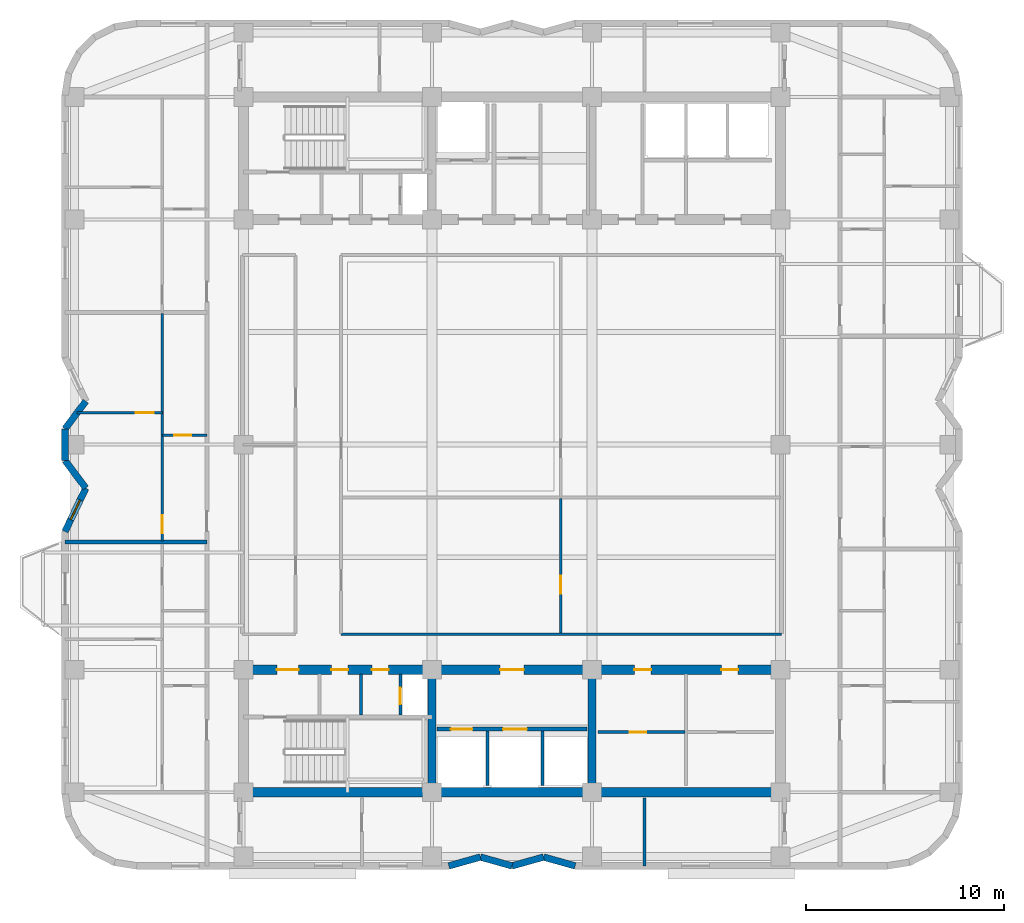
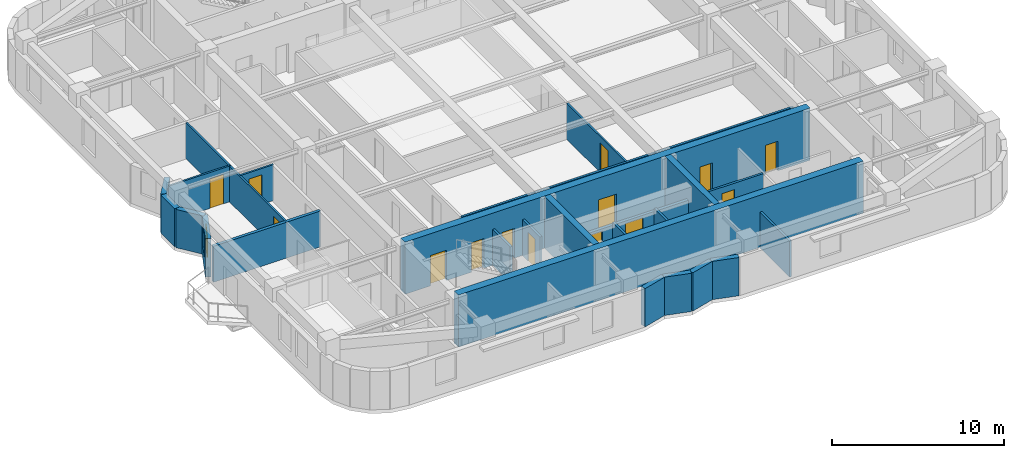
# One storey, part 3 of 10: 25 walls, 14 doors, 1 window, 15 openings.
"""IFC4 building model written with IfcOpenShell, lengths in metres."""

from ifc_helpers import new_model, si_unit, direction, frame, frame_2d, origin, place, context, subcontext, project, spatial, rectangle, extrude, material, layer, layer_set, type_object, element, fill, save


model = new_model("IFC4")

# Units and contexts
model_context = context("Model", 3, precision=1e-05, world=origin(), true_north=direction((0.0, 1.0)))
body_context = subcontext(model_context, "Body", "Model", "MODEL_VIEW")
ifc_project = project(units=[si_unit("LENGTHUNIT", "METRE"), si_unit("AREAUNIT", "SQUARE_METRE"), si_unit("VOLUMEUNIT", "CUBIC_METRE"), si_unit("PLANEANGLEUNIT", "RADIAN"), si_unit("MASSUNIT", "GRAM", prefix="KILO")], contexts=[model_context])

# Site, building, storey
site_placement = place(None, origin())
site = spatial("IfcSite", under=ifc_project, at=site_placement, CompositionType="ELEMENT")
building_placement = place(site_placement, origin())
building = spatial("IfcBuilding", under=site, at=building_placement, Name="Svetorya Sky Lyceum", CompositionType="ELEMENT")
storey_placement = place(building_placement, frame((0.0, 0.0, 188.5)))
storey = spatial("IfcBuildingStorey", under=building, at=storey_placement, Name="L47", CompositionType="ELEMENT", Elevation=188.5)

# Walls
ifc_material_1 = material(Name="Concrete C40/50", Category="concrete")
ifc_layer_1 = layer(ifc_material_1, 0.39990234375)
ifc_layer_set_1 = layer_set([ifc_layer_1], Name="Concrete C40/50")
wall_type_1 = type_object("IfcWallType", Name="WL-CORE-400", PredefinedType="SHEAR", material=ifc_layer_set_1)
for number, where, z_axis, x_axis, name in (
    (1, (35.14990234375, 10.85009765625, 0.0), (0.0, 0.0, 1.0), (0.0, 1.0, 0.0), "L47 SC Internal Shear Web WEB1"),
    (2, (43.25, 10.85009765625, 0.0), (0.0, 0.0, 1.0), (0.0, 1.0, 0.0), "L47 SC Internal Shear Web WEB2"),
):
    element("IfcWall", number, at=place(storey_placement, frame(where, z_axis=z_axis, x_axis=x_axis)), inside=storey, type_object=wall_type_1, Name=name, PredefinedType="SHEAR", context=body_context, shape_type="SweptSolid", body=[
        extrude(rectangle(XDim=5.699951171875, YDim=0.39990234375, at=frame_2d((2.85009765625, 0.0))), origin(), (0.0, 0.0, 1.0), 3.699951171875),
    ])
ifc_material_2 = material(Name="Concrete C50/60", Category="concrete")
ifc_layer_2 = layer(ifc_material_2, 0.5)
ifc_layer_set_2 = layer_set([ifc_layer_2], Name="Concrete C50/60")
wall_type_2 = type_object("IfcWallType", Name="WL-CORE-500", PredefinedType="SHEAR", material=ifc_layer_set_2)
wall_1_placement = place(storey_placement, frame((52.800048828125, 10.60009765625, 0.0), z_axis=(0.0, 0.0, 1.0), x_axis=(-1.0, 0.0, 0.0)))
element("IfcWall", 3, at=wall_1_placement, inside=storey, type_object=wall_type_2, Name="L47 SC Outer Core Shear Wall", PredefinedType="SHEAR", context=body_context, shape_type="SweptSolid", body=[
    extrude(rectangle(XDim=27.199951171875, YDim=0.5, at=frame_2d((13.60009765625, 0.0))), origin(), (0.0, 0.0, 1.0), 3.699951171875),
])

# Wall, openings, doors
wall_2_placement = place(storey_placement, frame((25.60009765625, 16.800048828125, 0.0), z_axis=(0.0, 0.0, 1.0), x_axis=(1.0, 0.0, 0.0)))
wall_2 = element("IfcWall", 4, at=wall_2_placement, inside=storey, type_object=wall_type_2, Name="L47 SC Inner Core Shear Wall", PredefinedType="SHEAR", context=body_context, shape_type="SweptSolid", body=[
    extrude(rectangle(XDim=27.199951171875, YDim=0.5, at=frame_2d((13.60009765625, 0.0))), origin(), (0.0, 0.0, 1.0), 3.699951171875),
])
opening_1_placement = place(wall_2_placement, frame((1.699951171875, 0.0, 0.0)))
opening_1 = element("IfcOpeningElement", 5, at=opening_1_placement, cuts=wall_2, Name="Opening D-ST1", PredefinedType="OPENING", context=body_context, shape_type="SweptSolid", body=[
    extrude(rectangle(XDim=1.10009765625, YDim=2.14990234375, at=frame_2d((0.550048828125, 1.074951171875))), frame((0.0, 0.260009765625, 0.0), z_axis=(0.0, -1.0, 0.0), x_axis=(1.0, 0.0, 0.0)), (0.0, 0.0, 1.0), 0.52001953125),
])
opening_2_placement = place(wall_2_placement, frame((4.449951171875, 0.0, 0.0)))
opening_2 = element("IfcOpeningElement", 6, at=opening_2_placement, cuts=wall_2, Name="Opening D-CWC1", PredefinedType="OPENING", context=body_context, shape_type="SweptSolid", body=[
    extrude(rectangle(XDim=0.85009765625, YDim=2.10009765625, at=frame_2d((0.425048828125, 1.050048828125))), frame((0.0, 0.260009765625, 0.0), z_axis=(0.0, -1.0, 0.0), x_axis=(1.0, 0.0, 0.0)), (0.0, 0.0, 1.0), 0.52001953125),
])
opening_3_placement = place(wall_2_placement, frame((6.5, 0.0, 0.0)))
opening_3 = element("IfcOpeningElement", 7, at=opening_3_placement, cuts=wall_2, Name="Opening D-CWC1", PredefinedType="OPENING", context=body_context, shape_type="SweptSolid", body=[
    extrude(rectangle(XDim=0.85009765625, YDim=2.10009765625, at=frame_2d((0.425048828125, 1.050048828125))), frame((0.0, 0.260009765625, 0.0), z_axis=(0.0, -1.0, 0.0), x_axis=(1.0, 0.0, 0.0)), (0.0, 0.0, 1.0), 0.52001953125),
])
opening_4_placement = place(wall_2_placement, frame((13.0, 0.0, 0.0)))
opening_4 = element("IfcOpeningElement", 8, at=opening_4_placement, cuts=wall_2, Name="Opening D-FL1", PredefinedType="OPENING", context=body_context, shape_type="SweptSolid", body=[
    extrude(rectangle(XDim=1.199951171875, YDim=2.14990234375, at=frame_2d((0.60009765625, 1.074951171875))), frame((0.0, 0.260009765625, 0.0), z_axis=(0.0, -1.0, 0.0), x_axis=(1.0, 0.0, 0.0)), (0.0, 0.0, 1.0), 0.52001953125),
])
opening_5_placement = place(wall_2_placement, frame((19.800048828125, 0.0, 0.0)))
opening_5 = element("IfcOpeningElement", 9, at=opening_5_placement, cuts=wall_2, Name="Opening D-CWC1", PredefinedType="OPENING", context=body_context, shape_type="SweptSolid", body=[
    extrude(rectangle(XDim=0.85009765625, YDim=2.10009765625, at=frame_2d((0.425048828125, 1.050048828125))), frame((0.0, 0.260009765625, 0.0), z_axis=(0.0, -1.0, 0.0), x_axis=(1.0, 0.0, 0.0)), (0.0, 0.0, 1.0), 0.52001953125),
])
opening_6_placement = place(wall_2_placement, frame((24.199951171875, 0.0, 0.0)))
opening_6 = element("IfcOpeningElement", 10, at=opening_6_placement, cuts=wall_2, Name="Opening D-CWC1", PredefinedType="OPENING", context=body_context, shape_type="SweptSolid", body=[
    extrude(rectangle(XDim=0.85009765625, YDim=2.10009765625, at=frame_2d((0.425048828125, 1.050048828125))), frame((0.0, 0.260009765625, 0.0), z_axis=(0.0, -1.0, 0.0), x_axis=(1.0, 0.0, 0.0)), (0.0, 0.0, 1.0), 0.52001953125),
])
ifc_material_3 = material(Name="Fire-rated galvanized steel core service closet door", Category="steel")
door_type_1 = type_object("IfcDoorType", Name="DR-CWET-850", OperationType="SINGLE_SWING_LEFT", PredefinedType="DOOR", material=ifc_material_3)
door_1_placement = place(opening_2_placement, origin())
door_1 = element("IfcDoor", 11, at=door_1_placement, inside=storey, type_object=door_type_1, Name="L47 South Mop Closet Door", OperationType="SINGLE_SWING_LEFT", OverallHeight=2.10009765625, OverallWidth=0.85009765625, PredefinedType="DOOR", context=body_context, shape_type="SweptSolid", body=[
    extrude(rectangle(XDim=0.85009765625, YDim=2.10009765625, at=frame_2d((0.425048828125, 1.050048828125))), frame((0.0, 0.02490234375, 0.0), z_axis=(0.0, -1.0, 0.0), x_axis=(1.0, 0.0, 0.0)), (0.0, 0.0, 1.0), 0.050048828125),
])
fill(opening_2, door_1)
door_2_placement = place(opening_3_placement, origin())
door_2 = element("IfcDoor", 12, at=door_2_placement, inside=storey, type_object=door_type_1, Name="L47 South West WC Door", OperationType="SINGLE_SWING_RIGHT", OverallHeight=2.10009765625, OverallWidth=0.85009765625, PredefinedType="DOOR", context=body_context, shape_type="SweptSolid", body=[
    extrude(rectangle(XDim=0.85009765625, YDim=2.10009765625, at=frame_2d((0.425048828125, 1.050048828125))), frame((0.0, 0.02490234375, 0.0), z_axis=(0.0, -1.0, 0.0), x_axis=(1.0, 0.0, 0.0)), (0.0, 0.0, 1.0), 0.050048828125),
])
fill(opening_3, door_2)
door_3_placement = place(opening_5_placement, origin())
door_3 = element("IfcDoor", 13, at=door_3_placement, inside=storey, type_object=door_type_1, Name="L47 Housekeeping Door", OperationType="SINGLE_SWING_LEFT", OverallHeight=2.10009765625, OverallWidth=0.85009765625, PredefinedType="DOOR", context=body_context, shape_type="SweptSolid", body=[
    extrude(rectangle(XDim=0.85009765625, YDim=2.10009765625, at=frame_2d((0.425048828125, 1.050048828125))), frame((0.0, 0.02490234375, 0.0), z_axis=(0.0, -1.0, 0.0), x_axis=(1.0, 0.0, 0.0)), (0.0, 0.0, 1.0), 0.050048828125),
])
fill(opening_5, door_3)
door_4_placement = place(opening_6_placement, origin())
door_4 = element("IfcDoor", 14, at=door_4_placement, inside=storey, type_object=door_type_1, Name="L47 South WC Door", OperationType="SINGLE_SWING_RIGHT", OverallHeight=2.10009765625, OverallWidth=0.85009765625, PredefinedType="DOOR", context=body_context, shape_type="SweptSolid", body=[
    extrude(rectangle(XDim=0.85009765625, YDim=2.10009765625, at=frame_2d((0.425048828125, 1.050048828125))), frame((0.0, 0.02490234375, 0.0), z_axis=(0.0, -1.0, 0.0), x_axis=(1.0, 0.0, 0.0)), (0.0, 0.0, 1.0), 0.050048828125),
])
fill(opening_6, door_4)
ifc_material_4 = material(Name="Powder-coated insulated galvanized stair fire door")
door_type_2 = type_object("IfcDoorType", Name="DR-FIRE-1100", OperationType="SINGLE_SWING_LEFT", PredefinedType="DOOR", material=ifc_material_4)
door_5_placement = place(opening_1_placement, origin())
door_5 = element("IfcDoor", 15, at=door_5_placement, inside=storey, type_object=door_type_2, Name="L47 South Stair Airlock Door", OperationType="SINGLE_SWING_RIGHT", OverallHeight=2.14990234375, OverallWidth=1.10009765625, PredefinedType="DOOR", context=body_context, shape_type="SweptSolid", body=[
    extrude(rectangle(XDim=1.10009765625, YDim=2.14990234375, at=frame_2d((0.550048828125, 1.074951171875))), frame((0.0, 0.02490234375, 0.0), z_axis=(0.0, -1.0, 0.0), x_axis=(1.0, 0.0, 0.0)), (0.0, 0.0, 1.0), 0.050048828125),
])
fill(opening_1, door_5)
ifc_material_5 = material(Name="Powder-coated insulated galvanized fire door")
door_type_3 = type_object("IfcDoorType", Name="DR-FIRE-1200", OperationType="SINGLE_SWING_LEFT", PredefinedType="DOOR", material=ifc_material_5)
door_6_placement = place(opening_4_placement, origin())
door_6 = element("IfcDoor", 16, at=door_6_placement, inside=storey, type_object=door_type_3, Name="L47 South Firefighting Lift Lobby Door", OperationType="SINGLE_SWING_LEFT", OverallHeight=2.14990234375, OverallWidth=1.199951171875, PredefinedType="DOOR", context=body_context, shape_type="SweptSolid", body=[
    extrude(rectangle(XDim=1.199951171875, YDim=2.14990234375, at=frame_2d((0.60009765625, 1.074951171875))), frame((0.0, 0.02490234375, 0.0), z_axis=(0.0, -1.0, 0.0), x_axis=(1.0, 0.0, 0.0)), (0.0, 0.0, 1.0), 0.050048828125),
])
fill(opening_4, door_6)

# Walls
ifc_material_6 = material(Name="Putilovo limestone rainscreen on autoclaved cellular masonry", Category="masonry")
ifc_layer_3 = layer(ifc_material_6, 0.340087890625)
ifc_layer_set_3 = layer_set([ifc_layer_3], Name="Putilovo limestone rainscreen on autoclaved cellular masonry")
wall_type_3 = type_object("IfcWallType", Name="WL-EXT-340", PredefinedType="SOLIDWALL", material=ifc_layer_set_3)
wall_3_placement = place(storey_placement, frame((36.0, 6.8701171875, 0.0), z_axis=(0.0, 0.0, 1.0), x_axis=(0.962662902433, 0.270703040766, 0.0)))
element("IfcWall", 17, at=wall_3_placement, inside=storey, type_object=wall_type_3, Name="L47 Limestone Exterior Wall 7M", PredefinedType="SOLIDWALL", context=body_context, shape_type="SweptSolid", body=[
    extrude(rectangle(XDim=1.662109375, YDim=0.340087890625, at=frame_2d((0.8310546875, 0.0))), origin(), (0.0, 0.0, 1.0), 2.719970703125),
])
wall_4_placement = place(storey_placement, frame((37.60009765625, 7.320068359375, 0.0), z_axis=(0.0, 0.0, 1.0), x_axis=(0.962652136636, -0.270741322725, 0.0)))
element("IfcWall", 18, at=wall_4_placement, inside=storey, type_object=wall_type_3, Name="L47 Limestone Exterior Wall 8M", PredefinedType="SOLIDWALL", context=body_context, shape_type="SweptSolid", body=[
    extrude(rectangle(XDim=1.661865234375, YDim=0.340087890625, at=frame_2d((0.8310546875, 0.0))), origin(), (0.0, 0.0, 1.0), 2.719970703125),
])
wall_5_placement = place(storey_placement, frame((39.199951171875, 6.8701171875, 0.0), z_axis=(0.0, 0.0, 1.0), x_axis=(0.962662902433, 0.270703040766, 0.0)))
element("IfcWall", 19, at=wall_5_placement, inside=storey, type_object=wall_type_3, Name="L47 Limestone Exterior Wall 9M", PredefinedType="SOLIDWALL", context=body_context, shape_type="SweptSolid", body=[
    extrude(rectangle(XDim=1.662109375, YDim=0.340087890625, at=frame_2d((0.8310546875, 0.0))), origin(), (0.0, 0.0, 1.0), 2.719970703125),
])
wall_6_placement = place(storey_placement, frame((40.800048828125, 7.320068359375, 0.0), z_axis=(0.0, 0.0, 1.0), x_axis=(0.962652136636, -0.270741322725, 0.0)))
element("IfcWall", 20, at=wall_6_placement, inside=storey, type_object=wall_type_3, Name="L47 Limestone Exterior Wall 10M", PredefinedType="SOLIDWALL", context=body_context, shape_type="SweptSolid", body=[
    extrude(rectangle(XDim=1.661865234375, YDim=0.340087890625, at=frame_2d((0.8310546875, 0.0))), origin(), (0.0, 0.0, 1.0), 2.719970703125),
])
wall_7_placement = place(storey_placement, frame((17.6201171875, 30.39990234375, 0.0), z_axis=(0.0, 0.0, 1.0), x_axis=(-0.600044643168, -0.799966515677, 0.0)))
element("IfcWall", 21, at=wall_7_placement, inside=storey, type_object=wall_type_3, Name="L47 Limestone Exterior Wall 42M", PredefinedType="SOLIDWALL", context=body_context, shape_type="SweptSolid", body=[
    extrude(rectangle(XDim=1.75, YDim=0.340087890625, at=frame_2d((0.875, 0.0))), origin(), (0.0, 0.0, 1.0), 2.719970703125),
])
wall_8_placement = place(storey_placement, frame((16.570068359375, 29.0, 0.0), z_axis=(0.0, 0.0, 1.0), x_axis=(0.0, -1.0, 0.0)))
element("IfcWall", 22, at=wall_8_placement, inside=storey, type_object=wall_type_3, Name="L47 Limestone Exterior Wall 43M", PredefinedType="SOLIDWALL", context=body_context, shape_type="SweptSolid", body=[
    extrude(rectangle(XDim=1.60009765625, YDim=0.340087890625, at=frame_2d((0.800048828125, 0.0))), origin(), (0.0, 0.0, 1.0), 2.719970703125),
])
wall_9_placement = place(storey_placement, frame((16.570068359375, 27.39990234375, 0.0), z_axis=(0.0, 0.0, 1.0), x_axis=(0.600044643168, -0.799966515677, 0.0)))
element("IfcWall", 23, at=wall_9_placement, inside=storey, type_object=wall_type_3, Name="L47 Limestone Exterior Wall 44M", PredefinedType="SOLIDWALL", context=body_context, shape_type="SweptSolid", body=[
    extrude(rectangle(XDim=1.75, YDim=0.340087890625, at=frame_2d((0.875, 0.0))), origin(), (0.0, 0.0, 1.0), 2.719970703125),
])

# Wall, opening, window
wall_10_placement = place(storey_placement, frame((17.6201171875, 26.0, 0.0), z_axis=(0.0, 0.0, 1.0), x_axis=(-0.430753686581, -0.902469534941, 0.0)))
wall_10 = element("IfcWall", 24, at=wall_10_placement, inside=storey, type_object=wall_type_3, Name="L47 Limestone Exterior Wall 45M", PredefinedType="SOLIDWALL", context=body_context, shape_type="SweptSolid", body=[
    extrude(rectangle(XDim=2.437744140625, YDim=0.340087890625, at=frame_2d((1.21875, 0.0))), origin(), (0.0, 0.0, 1.0), 2.719970703125),
])
opening_7_placement = place(wall_10_placement, frame((0.6689453125, 0.0, 0.909912109375)))
opening_7 = element("IfcOpeningElement", 25, at=opening_7_placement, cuts=wall_10, Name="Opening W-R3", PredefinedType="OPENING", context=body_context, shape_type="SweptSolid", body=[
    extrude(rectangle(XDim=1.10009765625, YDim=1.64990234375, at=frame_2d((0.550048828125, 0.824951171875))), frame((0.0, 0.179931640625, 0.0), z_axis=(0.0, -1.0, 0.0), x_axis=(1.0, 0.0, 0.0)), (0.0, 0.0, 1.0), 0.360107421875),
])
ifc_material_7 = material(Name="Thermally broken aluminium frame with triple low-E glazing", Category="aluminium")
window_type = type_object("IfcWindowType", Name="WN-RES-110", PartitioningType="SINGLE_PANEL", PredefinedType="WINDOW", material=ifc_material_7)
window_placement = place(opening_7_placement, origin())
window = element("IfcWindow", 26, at=window_placement, inside=storey, type_object=window_type, Name="L47 Facade Window W-R3.45M.1", OverallHeight=1.64990234375, OverallWidth=1.10009765625, PartitioningType="SINGLE_PANEL", PredefinedType="WINDOW", context=body_context, shape_type="SweptSolid", body=[
    extrude(rectangle(XDim=1.10009765625, YDim=1.64990234375, at=frame_2d((0.550048828125, 0.824951171875))), frame((0.0, 0.030029296875, 0.0), z_axis=(0.0, -1.0, 0.0), x_axis=(1.0, 0.0, 0.0)), (0.0, 0.0, 1.0), 0.06005859375),
])
fill(opening_7, window)

# Wall, opening, door
ifc_material_8 = material(Name="Twin-stud galvanized framing with double fireboard", Category="gypsum")
ifc_layer_4 = layer(ifc_material_8, 0.1201171875)
ifc_layer_set_4 = layer_set([ifc_layer_4], Name="Twin-stud galvanized framing with double fireboard")
wall_type_4 = type_object("IfcWallType", Name="WL-PART-120", PredefinedType="PARTITIONING", material=ifc_layer_set_4)
wall_11_placement = place(storey_placement, frame((41.659912109375, 18.659912109375, 0.0), z_axis=(0.0, 0.0, 1.0), x_axis=(0.0, 1.0, 0.0)))
wall_11 = element("IfcWall", 27, at=wall_11_placement, inside=storey, type_object=wall_type_4, Name="L47 Interior Partition OFF-VEM1", PredefinedType="PARTITIONING", context=body_context, shape_type="SweptSolid", body=[
    extrude(rectangle(XDim=6.820556640625, YDim=0.1201171875, at=frame_2d((3.41015625, 0.0))), origin(), (0.0, 0.0, 1.0), 2.550048828125),
])
opening_8_placement = place(wall_11_placement, frame((2.0, 0.0, 0.0)))
opening_8 = element("IfcOpeningElement", 28, at=opening_8_placement, cuts=wall_11, Name="Opening D-RM1", PredefinedType="OPENING", context=body_context, shape_type="SweptSolid", body=[
    extrude(rectangle(XDim=0.89990234375, YDim=2.10009765625, at=frame_2d((0.449951171875, 1.050048828125))), frame((0.0, 0.070068359375, 0.0), z_axis=(0.0, -1.0, 0.0), x_axis=(1.0, 0.0, 0.0)), (0.0, 0.0, 1.0), 0.14013671875),
])
ifc_material_9 = material(Name="Lacquered birch veneer internal door")
door_type_4 = type_object("IfcDoorType", Name="DR-INT-900", OperationType="SINGLE_SWING_LEFT", PredefinedType="DOOR", material=ifc_material_9)
door_7_placement = place(opening_8_placement, origin())
door_7 = element("IfcDoor", 29, at=door_7_placement, inside=storey, type_object=door_type_4, Name="L47 East Study Door", OperationType="SINGLE_SWING_LEFT", OverallHeight=2.10009765625, OverallWidth=0.89990234375, PredefinedType="DOOR", context=body_context, shape_type="SweptSolid", body=[
    extrude(rectangle(XDim=0.89990234375, YDim=2.10009765625, at=frame_2d((0.449951171875, 1.050048828125))), frame((0.0, 0.02490234375, 0.0), z_axis=(0.0, -1.0, 0.0), x_axis=(1.0, 0.0, 0.0)), (0.0, 0.0, 1.0), 0.050048828125),
])
fill(opening_8, door_7)

wall_12_placement = place(storey_placement, frame((21.5, 28.672119140625, 0.0), z_axis=(0.0, 0.0, 1.0), x_axis=(1.0, 0.0, 0.0)))
wall_12 = element("IfcWall", 30, at=wall_12_placement, inside=storey, type_object=wall_type_4, Name="L47 Interior Partition W2-WH1", PredefinedType="PARTITIONING", context=body_context, shape_type="SweptSolid", body=[
    extrude(rectangle(XDim=2.25, YDim=0.1201171875, at=frame_2d((1.125, 0.0))), origin(), (0.0, 0.0, 1.0), 2.550048828125),
])
opening_9_placement = place(wall_12_placement, frame((0.60009765625, 0.0, 0.0)))
opening_9 = element("IfcOpeningElement", 31, at=opening_9_placement, cuts=wall_12, Name="Opening D-BT1", PredefinedType="OPENING", context=body_context, shape_type="SweptSolid", body=[
    extrude(rectangle(XDim=0.85009765625, YDim=2.10009765625, at=frame_2d((0.425048828125, 1.050048828125))), frame((0.0, 0.070068359375, 0.0), z_axis=(0.0, -1.0, 0.0), x_axis=(1.0, 0.0, 0.0)), (0.0, 0.0, 1.0), 0.14013671875),
])
ifc_material_10 = material(Name="Moisture-resistant laminate bathroom door")
door_type_5 = type_object("IfcDoorType", Name="DR-WET-850", OperationType="SINGLE_SWING_LEFT", PredefinedType="DOOR", material=ifc_material_10)
door_8_placement = place(opening_9_placement, origin())
door_8 = element("IfcDoor", 32, at=door_8_placement, inside=storey, type_object=door_type_5, Name="Apartment W2 Bathroom Door", OperationType="SINGLE_SWING_RIGHT", OverallHeight=2.10009765625, OverallWidth=0.85009765625, PredefinedType="DOOR", context=body_context, shape_type="SweptSolid", body=[
    extrude(rectangle(XDim=0.85009765625, YDim=2.10009765625, at=frame_2d((0.425048828125, 1.050048828125))), frame((0.0, 0.02490234375, 0.0), z_axis=(0.0, -1.0, 0.0), x_axis=(1.0, 0.0, 0.0)), (0.0, 0.0, 1.0), 0.050048828125),
])
fill(opening_9, door_8)

wall_13_placement = place(storey_placement, frame((17.1865234375, 29.822021484375, 0.0), z_axis=(0.0, 0.0, 1.0), x_axis=(1.0, 0.0, 0.0)))
wall_13 = element("IfcWall", 33, at=wall_13_placement, inside=storey, type_object=wall_type_4, Name="L47 Interior Partition W2-WL1", PredefinedType="PARTITIONING", context=body_context, shape_type="SweptSolid", body=[
    extrude(rectangle(XDim=4.3134765625, YDim=0.1201171875, at=frame_2d((2.15673828125, 0.0))), origin(), (0.0, 0.0, 1.0), 2.550048828125),
])
opening_10_placement = place(wall_13_placement, frame((2.96337890625, 0.0, 0.0)))
opening_10 = element("IfcOpeningElement", 34, at=opening_10_placement, cuts=wall_13, Name="Opening D-RM1", PredefinedType="OPENING", context=body_context, shape_type="SweptSolid", body=[
    extrude(rectangle(XDim=0.89990234375, YDim=2.10009765625, at=frame_2d((0.449951171875, 1.050048828125))), frame((0.0, 0.070068359375, 0.0), z_axis=(0.0, -1.0, 0.0), x_axis=(1.0, 0.0, 0.0)), (0.0, 0.0, 1.0), 0.14013671875),
])
door_9_placement = place(opening_10_placement, origin())
door_9 = element("IfcDoor", 35, at=door_9_placement, inside=storey, type_object=door_type_4, Name="Apartment W2 Bedroom 1 Door", OperationType="SINGLE_SWING_RIGHT", OverallHeight=2.10009765625, OverallWidth=0.89990234375, PredefinedType="DOOR", context=body_context, shape_type="SweptSolid", body=[
    extrude(rectangle(XDim=0.89990234375, YDim=2.10009765625, at=frame_2d((0.449951171875, 1.050048828125))), frame((0.0, 0.02490234375, 0.0), z_axis=(0.0, -1.0, 0.0), x_axis=(1.0, 0.0, 0.0)), (0.0, 0.0, 1.0), 0.050048828125),
])
fill(opening_10, door_9)

wall_14_placement = place(storey_placement, frame((21.5, 23.31201171875, 0.0), z_axis=(0.0, 0.0, 1.0), x_axis=(0.0, 1.0, 0.0)))
wall_14 = element("IfcWall", 36, at=wall_14_placement, inside=storey, type_object=wall_type_4, Name="L47 Interior Partition W2-WV", PredefinedType="PARTITIONING", context=body_context, shape_type="SweptSolid", body=[
    extrude(rectangle(XDim=11.535888671875, YDim=0.1201171875, at=frame_2d((5.76806640625, 0.0))), origin(), (0.0, 0.0, 1.0), 2.550048828125),
])
opening_11_placement = place(wall_14_placement, frame((0.409912109375, 0.0, 0.0)))
opening_11 = element("IfcOpeningElement", 37, at=opening_11_placement, cuts=wall_14, Name="Opening D-RM1", PredefinedType="OPENING", context=body_context, shape_type="SweptSolid", body=[
    extrude(rectangle(XDim=0.89990234375, YDim=2.10009765625, at=frame_2d((0.449951171875, 1.050048828125))), frame((0.0, 0.070068359375, 0.0), z_axis=(0.0, -1.0, 0.0), x_axis=(1.0, 0.0, 0.0)), (0.0, 0.0, 1.0), 0.14013671875),
])
door_10_placement = place(opening_11_placement, origin())
door_10 = element("IfcDoor", 38, at=door_10_placement, inside=storey, type_object=door_type_4, Name="Apartment W2 Living Door", OperationType="SINGLE_SWING_LEFT", OverallHeight=2.10009765625, OverallWidth=0.89990234375, PredefinedType="DOOR", context=body_context, shape_type="SweptSolid", body=[
    extrude(rectangle(XDim=0.89990234375, YDim=2.10009765625, at=frame_2d((0.449951171875, 1.050048828125))), frame((0.0, 0.02490234375, 0.0), z_axis=(0.0, -1.0, 0.0), x_axis=(1.0, 0.0, 0.0)), (0.0, 0.0, 1.0), 0.050048828125),
])
fill(opening_11, door_10)

# Wall
ifc_material_11 = material(Name="Autoclaved cellular masonry blockwork with acoustic render", Category="masonry")
ifc_layer_5 = layer(ifc_material_11, 0.14990234375)
ifc_layer_set_5 = layer_set([ifc_layer_5], Name="Autoclaved cellular masonry blockwork with acoustic render")
wall_type_5 = type_object("IfcWallType", Name="WL-PART-150", PredefinedType="PARTITIONING", material=ifc_layer_set_5)
wall_15_placement = place(storey_placement, frame((31.550048828125, 14.5, 0.0), z_axis=(0.0, 0.0, 1.0), x_axis=(0.0, 1.0, 0.0)))
element("IfcWall", 39, at=wall_15_placement, inside=storey, type_object=wall_type_5, Name="L47 Interior Partition SC-SWD2", PredefinedType="PARTITIONING", context=body_context, shape_type="SweptSolid", body=[
    extrude(rectangle(XDim=2.080078125, YDim=0.14990234375, at=frame_2d((1.0400390625, 0.0))), origin(), (0.0, 0.0, 1.0), 2.550048828125),
])

# Wall, opening, door
wall_16_placement = place(storey_placement, frame((33.550048828125, 14.5, 0.0), z_axis=(0.0, 0.0, 1.0), x_axis=(0.0, 1.0, 0.0)))
wall_16 = element("IfcWall", 40, at=wall_16_placement, inside=storey, type_object=wall_type_5, Name="L47 Interior Partition SC-SWD3", PredefinedType="PARTITIONING", context=body_context, shape_type="SweptSolid", body=[
    extrude(rectangle(XDim=2.080078125, YDim=0.14990234375, at=frame_2d((1.0400390625, 0.0))), origin(), (0.0, 0.0, 1.0), 2.550048828125),
])
opening_12_placement = place(wall_16_placement, frame((0.550048828125, 0.0, 0.0)))
opening_12 = element("IfcOpeningElement", 41, at=opening_12_placement, cuts=wall_16, Name="Opening D-SH1", PredefinedType="OPENING", context=body_context, shape_type="SweptSolid", body=[
    extrude(rectangle(XDim=0.85009765625, YDim=2.050048828125, at=frame_2d((0.425048828125, 1.02490234375))), frame((0.0, 0.0849609375, 0.0), z_axis=(0.0, -1.0, 0.0), x_axis=(1.0, 0.0, 0.0)), (0.0, 0.0, 1.0), 0.169921875),
])
ifc_material_12 = material(Name="Insulated galvanized riser inspection fire door")
door_type_6 = type_object("IfcDoorType", Name="DR-SHFT-850", OperationType="SINGLE_SWING_LEFT", PredefinedType="TRAPDOOR", material=ifc_material_12)
door_11_placement = place(opening_12_placement, origin())
door_11 = element("IfcDoor", 42, at=door_11_placement, inside=storey, type_object=door_type_6, Name="L47 South Riser Access Door", OperationType="SINGLE_SWING_RIGHT", OverallHeight=2.050048828125, OverallWidth=0.85009765625, PredefinedType="TRAPDOOR", context=body_context, shape_type="SweptSolid", body=[
    extrude(rectangle(XDim=0.85009765625, YDim=2.050048828125, at=frame_2d((0.425048828125, 1.02490234375))), frame((0.0, 0.02490234375, 0.0), z_axis=(0.0, -1.0, 0.0), x_axis=(1.0, 0.0, 0.0)), (0.0, 0.0, 1.0), 0.050048828125),
])
fill(opening_12, door_11)

# Walls
for number, where, z_axis, x_axis, name in (
    (43, (37.949951171875, 10.949951171875, 0.0), (0.0, 0.0, 1.0), (0.0, 1.0, 0.0), "L47 Interior Partition SC-SHD1"),
    (44, (40.75, 10.949951171875, 0.0), (0.0, 0.0, 1.0), (0.0, 1.0, 0.0), "L47 Interior Partition SC-SHD2"),
):
    element("IfcWall", number, at=place(storey_placement, frame(where, z_axis=z_axis, x_axis=x_axis)), inside=storey, type_object=wall_type_5, Name=name, PredefinedType="PARTITIONING", context=body_context, shape_type="SweptSolid", body=[
        extrude(rectangle(XDim=2.75, YDim=0.14990234375, at=frame_2d((1.375, 0.0))), origin(), (0.0, 0.0, 1.0), 2.550048828125),
    ])

# Wall, opening, door
wall_17_placement = place(storey_placement, frame((43.550048828125, 13.64990234375, 0.0), z_axis=(0.0, 0.0, 1.0), x_axis=(1.0, 0.0, 0.0)))
wall_17 = element("IfcWall", 45, at=wall_17_placement, inside=storey, type_object=wall_type_5, Name="L47 Interior Partition SC-LV7-HW", PredefinedType="PARTITIONING", context=body_context, shape_type="SweptSolid", body=[
    extrude(rectangle(XDim=4.39990234375, YDim=0.14990234375, at=frame_2d((2.199951171875, 0.0))), origin(), (0.0, 0.0, 1.0), 2.550048828125),
])
opening_13_placement = place(wall_17_placement, frame((1.60009765625, 0.0, 0.0)))
opening_13 = element("IfcOpeningElement", 46, at=opening_13_placement, cuts=wall_17, Name="Opening D-CWC1", PredefinedType="OPENING", context=body_context, shape_type="SweptSolid", body=[
    extrude(rectangle(XDim=0.85009765625, YDim=2.10009765625, at=frame_2d((0.425048828125, 1.050048828125))), frame((0.0, 0.0849609375, 0.0), z_axis=(0.0, -1.0, 0.0), x_axis=(1.0, 0.0, 0.0)), (0.0, 0.0, 1.0), 0.169921875),
])
door_12_placement = place(opening_13_placement, origin())
door_12 = element("IfcDoor", 47, at=door_12_placement, inside=storey, type_object=door_type_1, Name="L47 South Electrical Room Door", OperationType="SINGLE_SWING_LEFT", OverallHeight=2.10009765625, OverallWidth=0.85009765625, PredefinedType="DOOR", context=body_context, shape_type="SweptSolid", body=[
    extrude(rectangle(XDim=0.85009765625, YDim=2.10009765625, at=frame_2d((0.425048828125, 1.050048828125))), frame((0.0, 0.02490234375, 0.0), z_axis=(0.0, -1.0, 0.0), x_axis=(1.0, 0.0, 0.0)), (0.0, 0.0, 1.0), 0.050048828125),
])
fill(opening_13, door_12)

# Walls
wall_18_placement = place(storey_placement, frame((30.550048828125, 18.60009765625, 0.0), z_axis=(0.0, 0.0, 1.0), x_axis=(1.0, 0.0, 0.0)))
element("IfcWall", 48, at=wall_18_placement, inside=storey, type_object=wall_type_5, Name="L47 Interior Partition OFF-CS-E", PredefinedType="PARTITIONING", context=body_context, shape_type="SweptSolid", body=[
    extrude(rectangle(XDim=22.300048828125, YDim=0.14990234375, at=frame_2d((11.14990234375, 0.0))), origin(), (0.0, 0.0, 1.0), 2.550048828125),
])
wall_19_placement = place(storey_placement, frame((45.89990234375, 6.8701171875, 0.0), z_axis=(0.0, 0.0, 1.0), x_axis=(0.0, 1.0, 0.0)))
element("IfcWall", 49, at=wall_19_placement, inside=storey, type_object=wall_type_5, Name="L47 Interior Partition S-D2", PredefinedType="PARTITIONING", context=body_context, shape_type="SweptSolid", body=[
    extrude(rectangle(XDim=3.429931640625, YDim=0.14990234375, at=frame_2d((1.71484375, 0.0))), origin(), (0.0, 0.0, 1.0), 2.550048828125),
])

# Wall, openings, doors
ifc_material_13 = material(Name="Autoclaved cellular masonry blockwork with gypsum plaster", Category="masonry")
ifc_layer_6 = layer(ifc_material_13, 0.199951171875)
ifc_layer_set_6 = layer_set([ifc_layer_6], Name="Autoclaved cellular masonry blockwork with gypsum plaster")
wall_type_6 = type_object("IfcWallType", Name="WL-PART-200", PredefinedType="PARTITIONING", material=ifc_layer_set_6)
wall_20_placement = place(storey_placement, frame((35.39990234375, 13.800048828125, 0.0), z_axis=(0.0, 0.0, 1.0), x_axis=(1.0, 0.0, 0.0)))
wall_20 = element("IfcWall", 50, at=wall_20_placement, inside=storey, type_object=wall_type_6, Name="L47 Interior Partition SC-FLW", PredefinedType="PARTITIONING", context=body_context, shape_type="SweptSolid", body=[
    extrude(rectangle(XDim=7.60009765625, YDim=0.199951171875, at=frame_2d((3.800048828125, 0.0))), origin(), (0.0, 0.0, 1.0), 2.320068359375),
])
opening_14_placement = place(wall_20_placement, frame((0.699951171875, 0.0, 0.0)))
opening_14 = element("IfcOpeningElement", 51, at=opening_14_placement, cuts=wall_20, Name="Opening LD-FL", PredefinedType="OPENING", context=body_context, shape_type="SweptSolid", body=[
    extrude(rectangle(XDim=1.10009765625, YDim=2.14990234375, at=frame_2d((0.550048828125, 1.074951171875))), frame((0.0, 0.10986328125, 0.0), z_axis=(0.0, -1.0, 0.0), x_axis=(1.0, 0.0, 0.0)), (0.0, 0.0, 1.0), 0.219970703125),
])
opening_15_placement = place(wall_20_placement, frame((3.35009765625, 0.0, 0.0)))
opening_15 = element("IfcOpeningElement", 52, at=opening_15_placement, cuts=wall_20, Name="Opening LD-SV", PredefinedType="OPENING", context=body_context, shape_type="SweptSolid", body=[
    extrude(rectangle(XDim=1.199951171875, YDim=2.14990234375, at=frame_2d((0.60009765625, 1.074951171875))), frame((0.0, 0.10986328125, 0.0), z_axis=(0.0, -1.0, 0.0), x_axis=(1.0, 0.0, 0.0)), (0.0, 0.0, 1.0), 0.219970703125),
])
ifc_material_14 = material(Name="Fire-rated stainless AISI 304 firefighting lift landing door")
door_type_7 = type_object("IfcDoorType", Name="DR-LIFT-1100", OperationType="SLIDING_TO_LEFT", PredefinedType="DOOR", material=ifc_material_14)
door_13_placement = place(opening_14_placement, origin())
door_13 = element("IfcDoor", 53, at=door_13_placement, inside=storey, type_object=door_type_7, Name="L47 Firefighting Lift FL2 Landing Door", OperationType="SLIDING_TO_LEFT", OverallHeight=2.14990234375, OverallWidth=1.10009765625, PredefinedType="DOOR", context=body_context, shape_type="SweptSolid", body=[
    extrude(rectangle(XDim=1.10009765625, YDim=2.14990234375, at=frame_2d((0.550048828125, 1.074951171875))), frame((0.0, 0.02490234375, 0.0), z_axis=(0.0, -1.0, 0.0), x_axis=(1.0, 0.0, 0.0)), (0.0, 0.0, 1.0), 0.050048828125),
])
fill(opening_14, door_13)
ifc_material_15 = material(Name="Brushed stainless AISI 304 telescopic lift landing door")
door_type_8 = type_object("IfcDoorType", Name="DR-LIFT-1200", OperationType="SLIDING_TO_LEFT", PredefinedType="DOOR", material=ifc_material_15)
door_14_placement = place(opening_15_placement, origin())
door_14 = element("IfcDoor", 54, at=door_14_placement, inside=storey, type_object=door_type_8, Name="L47 Service Lift SVL1 Landing Door", OperationType="SLIDING_TO_LEFT", OverallHeight=2.14990234375, OverallWidth=1.199951171875, PredefinedType="DOOR", context=body_context, shape_type="SweptSolid", body=[
    extrude(rectangle(XDim=1.199951171875, YDim=2.14990234375, at=frame_2d((0.60009765625, 1.074951171875))), frame((0.0, 0.02490234375, 0.0), z_axis=(0.0, -1.0, 0.0), x_axis=(1.0, 0.0, 0.0)), (0.0, 0.0, 1.0), 0.050048828125),
])
fill(opening_15, door_14)

# Wall
wall_21_placement = place(storey_placement, frame((16.570068359375, 23.27197265625, 0.0), z_axis=(0.0, 0.0, 1.0), x_axis=(1.0, 0.0, 0.0)))
element("IfcWall", 55, at=wall_21_placement, inside=storey, type_object=wall_type_6, Name="L47 Interior Partition W-PARTY-1", PredefinedType="PARTITIONING", context=body_context, shape_type="SweptSolid", body=[
    extrude(rectangle(XDim=7.179931640625, YDim=0.199951171875, at=frame_2d((3.58984375, 0.0))), origin(), (0.0, 0.0, 1.0), 2.550048828125),
])

save(model, "model.ifc")
